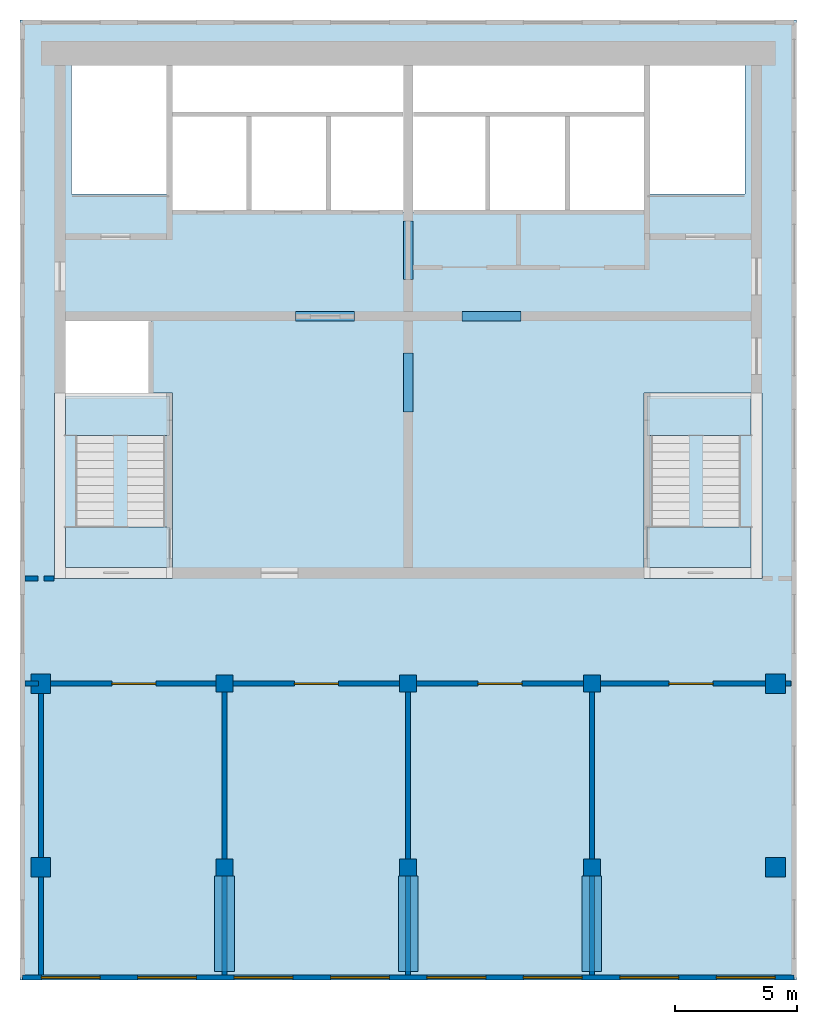
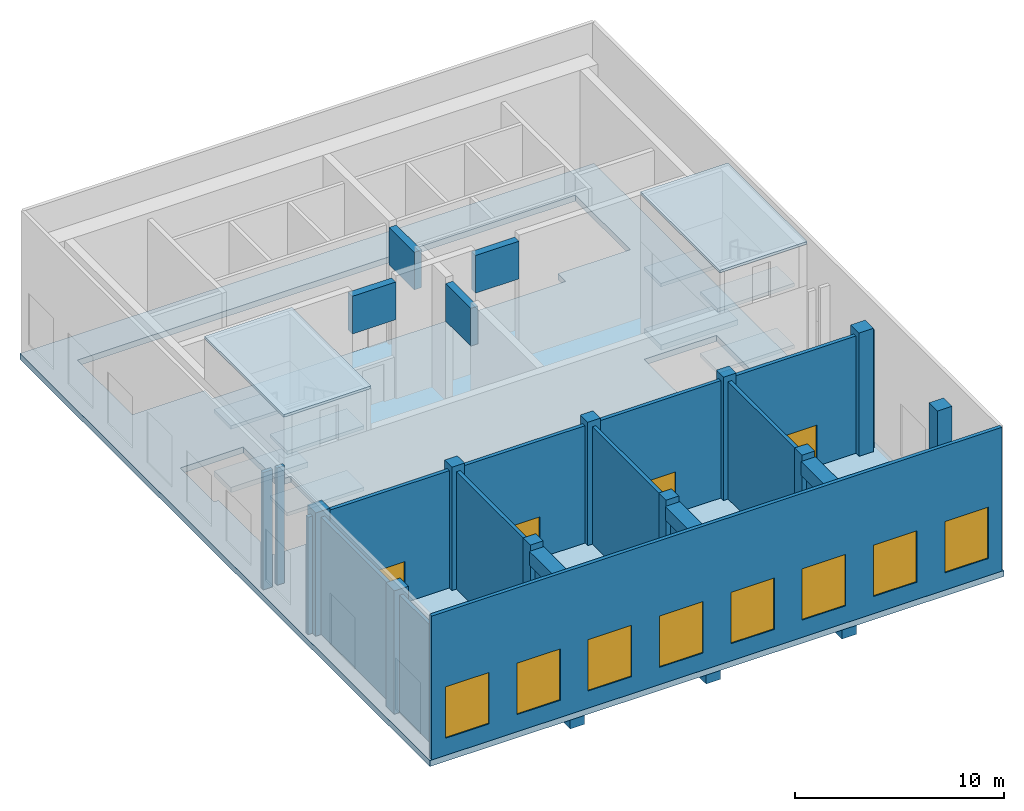
# One storey, part 1 of 5: 12 walls, 10 beams, 10 columns, 9 slabs, 8 windows, 4 doors, 2 plates, 12 openings, 2 elements without a shape of their own.
"""IFC4 building model written with IfcOpenShell, lengths in metres."""

from ifc_helpers import new_model, si_unit, direction, frame, frame_2d, origin, origin_2d, place, context, subcontext, project, spatial, polyline, rectangle, outline, extrude, material, layer, layer_set, material_profile, profile_set, type_object, element, fill, aggregate, save


model = new_model("IFC4")

# Units and contexts
model_context = context("Model", 3, precision=1e-05, world=origin(), true_north=direction((0.0, 1.0)))
body_context = subcontext(model_context, "Body", "Model", "MODEL_VIEW")
ifc_project = project(units=[si_unit("LENGTHUNIT", "METRE"), si_unit("AREAUNIT", "SQUARE_METRE"), si_unit("VOLUMEUNIT", "CUBIC_METRE"), si_unit("PLANEANGLEUNIT", "RADIAN"), si_unit("MASSUNIT", "GRAM", prefix="KILO")], contexts=[model_context])

# Site, building, storey
site_placement = place(None, origin())
site = spatial("IfcSite", under=ifc_project, at=site_placement, CompositionType="ELEMENT")
building_placement = place(site_placement, origin())
building = spatial("IfcBuilding", under=site, at=building_placement, Name="Pilkhan Gate Tower", CompositionType="ELEMENT")
storey_placement = place(building_placement, frame((0.0, 0.0, 292.699951171875)))
storey = spatial("IfcBuildingStorey", under=building, at=storey_placement, Name="RF", CompositionType="ELEMENT", Elevation=292.699951171875)

# Columns
ifc_material_1 = material(Name="Concrete C40/50", Category="concrete")
ifc_material_profile_1 = material_profile(ifc_material_1, rectangle(XDim=0.699951171875, YDim=0.699951171875, at=origin_2d()), Name="RC 700x700")
ifc_profile_set_1 = profile_set([ifc_material_profile_1], Name="Concrete C40/50")
column_type_1 = type_object("IfcColumnType", Name="Column C70 RC 700x700 C40/50", PredefinedType="COLUMN", material=ifc_profile_set_1)
for number, where, z_axis, x_axis, name in (
    (1, (67.5, 60.0, 0.0), (0.0, 0.0, 1.0), (1.0, 0.0, 0.0), "Column 9/F RF"),
    (2, (67.5, 67.5, 0.0), (0.0, 0.0, 1.0), (1.0, 0.0, 0.0), "Column 9/H RF"),
    (3, (75.0, 60.0, 0.0), (0.0, 0.0, 1.0), (1.0, 0.0, 0.0), "Column 11/F RF"),
    (4, (75.0, 67.5, 0.0), (0.0, 0.0, 1.0), (1.0, 0.0, 0.0), "Column 11/H RF"),
    (5, (82.5, 60.0, 0.0), (0.0, 0.0, 1.0), (1.0, 0.0, 0.0), "Column 13/F RF"),
    (6, (82.5, 67.5, 0.0), (0.0, 0.0, 1.0), (1.0, 0.0, 0.0), "Column 13/H RF"),
):
    element("IfcColumn", number, at=place(storey_placement, frame(where, z_axis=z_axis, x_axis=x_axis)), inside=storey, type_object=column_type_1, Name=name, PredefinedType="COLUMN", context=body_context, shape_type="SweptSolid", body=[
        extrude(rectangle(XDim=0.699951171875, YDim=0.699951171875, at=origin_2d()), origin(), (0.0, 0.0, 1.0), 7.199951171875),
    ])
ifc_material_profile_2 = material_profile(ifc_material_1, rectangle(XDim=0.800048828125, YDim=0.800048828125, at=origin_2d()), Name="RC 800x800")
ifc_profile_set_2 = profile_set([ifc_material_profile_2], Name="Concrete C40/50")
column_type_2 = type_object("IfcColumnType", Name="Column C80 RC 800x800 C40/50", PredefinedType="COLUMN", material=ifc_profile_set_2)
for number, where, z_axis, x_axis, name in (
    (7, (60.0, 60.0, 0.0), (0.0, 0.0, 1.0), (1.0, 0.0, 0.0), "Column 7/F RF"),
    (8, (60.0, 67.5, 0.0), (0.0, 0.0, 1.0), (1.0, 0.0, 0.0), "Column 7/H RF"),
    (9, (90.0, 60.0, 0.0), (0.0, 0.0, 1.0), (1.0, 0.0, 0.0), "Column 15/F RF"),
    (10, (90.0, 67.5, 0.0), (0.0, 0.0, 1.0), (1.0, 0.0, 0.0), "Column 15/H RF"),
):
    element("IfcColumn", number, at=place(storey_placement, frame(where, z_axis=z_axis, x_axis=x_axis)), inside=storey, type_object=column_type_2, Name=name, PredefinedType="COLUMN", context=body_context, shape_type="SweptSolid", body=[
        extrude(rectangle(XDim=0.800048828125, YDim=0.800048828125, at=origin_2d()), origin(), (0.0, 0.0, 1.0), 7.199951171875),
    ])

# Beams
ifc_material_2 = material(Name="Concrete C50/60", Category="concrete")
ifc_material_profile_3 = material_profile(ifc_material_2, rectangle(XDim=0.800048828125, YDim=0.800048828125, at=origin_2d()), Name="RC 800x800")
ifc_profile_set_3 = profile_set([ifc_material_profile_3], Name="Concrete C50/60")
beam_type_1 = type_object("IfcBeamType", Name="Cantilever beam CB2 RC 800x800 C50/60", PredefinedType="BEAM", material=ifc_profile_set_3)
for number, where, z_axis, x_axis, name in (
    (11, (67.5, 59.64990234375, -0.75), (0.0, -1.0, 0.0), (1.0, 0.0, 0.0), "Crown cantilever beam S1 RF"),
    (12, (75.0, 59.64990234375, -0.75), (0.0, -1.0, 0.0), (1.0, 0.0, 0.0), "Crown cantilever beam S2 RF"),
    (13, (82.5, 59.64990234375, -0.75), (0.0, -1.0, 0.0), (1.0, 0.0, 0.0), "Crown cantilever beam S3 RF"),
    (14, (67.5, 59.64990234375, 6.449951171875), (0.0, -1.0, 0.0), (1.0, 0.0, 0.0), "Crown cantilever beam S1 RFR"),
    (15, (75.0, 59.64990234375, 6.449951171875), (0.0, -1.0, 0.0), (1.0, 0.0, 0.0), "Crown cantilever beam S2 RFR"),
    (16, (82.5, 59.64990234375, 6.449951171875), (0.0, -1.0, 0.0), (1.0, 0.0, 0.0), "Crown cantilever beam S3 RFR"),
):
    element("IfcBeam", number, at=place(storey_placement, frame(where, z_axis=z_axis, x_axis=x_axis)), inside=storey, type_object=beam_type_1, Name=name, PredefinedType="BEAM", context=body_context, shape_type="SweptSolid", body=[
        extrude(rectangle(XDim=0.800048828125, YDim=0.800048828125, at=origin_2d()), origin(), (0.0, 0.0, 1.0), 3.89990234375),
    ])
ifc_material_profile_4 = material_profile(ifc_material_2, rectangle(XDim=0.39990234375, YDim=2.199951171875, at=origin_2d()), Name="RC 400x2200")
ifc_profile_set_4 = profile_set([ifc_material_profile_4], Name="Concrete C50/60")
beam_type_2 = type_object("IfcBeamType", Name="Coupling beam CB220-4 RC 400x2200 C50/60", PredefinedType="LINTEL", material=ifc_profile_set_4)
for number, where, z_axis, x_axis, name in (
    (17, (70.39990234375, 82.5, 5.75), (1.0, 0.0, 0.0), (0.0, 1.0, 0.0), "Coupling beam 1 RF"),
    (18, (77.199951171875, 82.5, 5.75), (1.0, 0.0, 0.0), (0.0, 1.0, 0.0), "Coupling beam 2 RF"),
):
    element("IfcBeam", number, at=place(storey_placement, frame(where, z_axis=z_axis, x_axis=x_axis)), inside=storey, type_object=beam_type_2, Name=name, PredefinedType="LINTEL", context=body_context, shape_type="SweptSolid", body=[
        extrude(rectangle(XDim=0.39990234375, YDim=2.199951171875, at=origin_2d()), origin(), (0.0, 0.0, 1.0), 2.400146484375),
    ])
for number, where, z_axis, x_axis, name in (
    (19, (75.0, 78.60009765625, 5.75), (0.0, 1.0, 0.0), (-1.0, 0.0, 0.0), "Coupling beam 3 RF"),
    (20, (75.0, 84.0, 5.75), (0.0, 1.0, 0.0), (-1.0, 0.0, 0.0), "Coupling beam 4 RF"),
):
    element("IfcBeam", number, at=place(storey_placement, frame(where, z_axis=z_axis, x_axis=x_axis)), inside=storey, type_object=beam_type_2, Name=name, PredefinedType="LINTEL", context=body_context, shape_type="SweptSolid", body=[
        extrude(rectangle(XDim=0.39990234375, YDim=2.199951171875, at=origin_2d()), origin(), (0.0, 0.0, 1.0), 2.39990234375),
    ])

# Slab
ifc_layer_1 = layer(ifc_material_1, 0.35009765625)
ifc_layer_set_1 = layer_set([ifc_layer_1], Name="Flat plate slab FP350")
slab_type_1 = type_object("IfcSlabType", Name="Flat plate slab FP350", PredefinedType="FLOOR", material=ifc_layer_set_1)
slab_1_placement = place(storey_placement, frame((0.0, 0.0, -0.349853515625)))
element("IfcSlab", 21, at=slab_1_placement, inside=storey, type_object=slab_type_1, Name="Floor slab RF", PredefinedType="FLOOR", context=body_context, shape_type="SweptSolid", body=[
    extrude(outline(polyline([(59.14990234375, 94.60009765625), (90.85009765625, 94.60009765625), (90.85009765625, 55.39990234375), (59.14990234375, 55.39990234375), (59.14990234375, 94.60009765625)]), holes=[polyline([(78.25, 86.75), (81.5, 86.75), (84.75, 86.75), (84.75, 87.5), (88.75, 87.5), (88.75, 92.75), (84.75, 92.75), (75.0, 92.75), (65.25, 92.75), (61.25, 92.75), (61.25, 87.5), (65.25, 87.5), (65.25, 86.75), (68.5, 86.75), (71.75, 86.75), (75.0, 86.75), (78.25, 86.75)]), polyline([(84.75, 79.25), (84.75, 74.0), (88.75, 74.0), (88.75, 79.25), (84.75, 79.25)]), polyline([(65.25, 79.25), (64.5, 79.25), (64.5, 82.5), (61.25, 82.5), (61.0, 82.5), (61.0, 79.25), (61.25, 79.25), (61.25, 74.0), (65.25, 74.0), (65.25, 79.25)])]), origin(), (0.0, 0.0, 1.0), 0.349853515625),
])

# Plates
ifc_material_3 = material(Name="Insulated metal roof panel")
ifc_layer_2 = layer(ifc_material_3, 0.14990234375)
ifc_layer_set_2 = layer_set([ifc_layer_2], Name="Stair head house roof panel RP150")
plate_type = type_object("IfcPlateType", Name="Stair head house roof panel RP150", PredefinedType="SHEET", material=ifc_layer_set_2)
plate_1_placement = place(storey_placement, frame((0.0, 0.0, 9.60009765625)))
element("IfcPlate", 22, at=plate_1_placement, inside=storey, type_object=plate_type, Name="Stair head house roof panel", PredefinedType="SHEET", context=body_context, shape_type="SweptSolid", body=[
    extrude(outline(polyline([(84.625, 71.800048828125), (89.449951171875, 71.800048828125), (89.449951171875, 79.375), (84.625, 79.375), (84.625, 71.800048828125)])), origin(), (0.0, 0.0, 1.0), 0.14990234375),
])
plate_2_placement = place(storey_placement, frame((0.0, 0.0, 9.60009765625)))
element("IfcPlate", 23, at=plate_2_placement, inside=storey, type_object=plate_type, Name="Stair head house roof panel", PredefinedType="SHEET", context=body_context, shape_type="SweptSolid", body=[
    extrude(outline(polyline([(60.550048828125, 71.800048828125), (65.375, 71.800048828125), (65.375, 79.375), (60.550048828125, 79.375), (60.550048828125, 71.800048828125)])), origin(), (0.0, 0.0, 1.0), 0.14990234375),
])

# Stair, slabs
ifc_material_4 = material(Name="Concrete C40/50 precast", Category="concrete")
stair_type_1 = type_object("IfcStairType", Name="Stair ST1 150x340", PredefinedType="HALF_TURN_STAIR", material=ifc_material_4)
stair_1_placement = place(storey_placement, origin())
stair_1 = element("IfcStair", 24, at=stair_1_placement, inside=storey, type_object=stair_type_1, Name="Stair ST1 RF", PredefinedType="HALF_TURN_STAIR")
ifc_layer_3 = layer(ifc_material_1, 0.199951171875)
ifc_layer_set_3 = layer_set([ifc_layer_3], Name="Stair landing SL200")
slab_type_2 = type_object("IfcSlabType", Name="Stair landing SL200", PredefinedType="LANDING", material=ifc_layer_set_3)
slab_2_placement = place(storey_placement, frame((0.0, 0.0, 1.5)))
slab_2 = element("IfcSlab", 25, at=slab_2_placement, type_object=slab_type_2, Name="ST1 landing 1", PredefinedType="LANDING", context=body_context, shape_type="SweptSolid", body=[
    extrude(outline(polyline([(89.0, 77.639892578125), (89.0, 79.25), (84.75, 79.25), (84.75, 77.639892578125), (89.0, 77.639892578125)])), origin(), (0.0, 0.0, 1.0), 0.300048828125),
])
slab_3_placement = place(storey_placement, frame((0.0, 0.0, 3.400146484375)))
slab_3 = element("IfcSlab", 26, at=slab_3_placement, type_object=slab_type_2, Name="ST1 landing 2", PredefinedType="LANDING", context=body_context, shape_type="SweptSolid", body=[
    extrude(outline(polyline([(89.0, 72.25), (89.0, 73.89990234375), (84.75, 73.89990234375), (84.75, 72.25), (89.0, 72.25)])), origin(), (0.0, 0.0, 1.0), 0.199951171875),
])
slab_4_placement = place(storey_placement, frame((0.0, 0.0, 5.199951171875)))
slab_4 = element("IfcSlab", 27, at=slab_4_placement, type_object=slab_type_2, Name="ST1 landing 3", PredefinedType="LANDING", context=body_context, shape_type="SweptSolid", body=[
    extrude(outline(polyline([(89.0, 77.639892578125), (89.0, 79.25), (84.75, 79.25), (84.75, 77.639892578125), (89.0, 77.639892578125)])), origin(), (0.0, 0.0, 1.0), 0.2001953125),
])
slab_5_placement = place(storey_placement, frame((0.0, 0.0, 7.0)))
slab_5 = element("IfcSlab", 28, at=slab_5_placement, type_object=slab_type_2, Name="ST1 landing 4", PredefinedType="LANDING", context=body_context, shape_type="SweptSolid", body=[
    extrude(outline(polyline([(89.0, 72.25), (89.0, 73.89990234375), (84.75, 73.89990234375), (84.75, 72.25), (89.0, 72.25)])), origin(), (0.0, 0.0, 1.0), 0.199951171875),
])
aggregate(stair_1, [slab_2, slab_3, slab_4, slab_5])

stair_type_2 = type_object("IfcStairType", Name="Stair ST2 150x340", PredefinedType="HALF_TURN_STAIR", material=ifc_material_4)
stair_2_placement = place(storey_placement, origin())
stair_2 = element("IfcStair", 29, at=stair_2_placement, inside=storey, type_object=stair_type_2, Name="Stair ST2 RF", PredefinedType="HALF_TURN_STAIR")
slab_6_placement = place(storey_placement, frame((0.0, 0.0, 1.5)))
slab_6 = element("IfcSlab", 30, at=slab_6_placement, type_object=slab_type_2, Name="ST2 landing 1", PredefinedType="LANDING", context=body_context, shape_type="SweptSolid", body=[
    extrude(outline(polyline([(65.25, 77.639892578125), (65.25, 79.25), (61.0, 79.25), (61.0, 77.639892578125), (65.25, 77.639892578125)])), origin(), (0.0, 0.0, 1.0), 0.300048828125),
])
slab_7_placement = place(storey_placement, frame((0.0, 0.0, 3.400146484375)))
slab_7 = element("IfcSlab", 31, at=slab_7_placement, type_object=slab_type_2, Name="ST2 landing 2", PredefinedType="LANDING", context=body_context, shape_type="SweptSolid", body=[
    extrude(outline(polyline([(65.25, 72.25), (65.25, 73.89990234375), (61.0, 73.89990234375), (61.0, 72.25), (65.25, 72.25)])), origin(), (0.0, 0.0, 1.0), 0.199951171875),
])
slab_8_placement = place(storey_placement, frame((0.0, 0.0, 5.199951171875)))
slab_8 = element("IfcSlab", 32, at=slab_8_placement, type_object=slab_type_2, Name="ST2 landing 3", PredefinedType="LANDING", context=body_context, shape_type="SweptSolid", body=[
    extrude(outline(polyline([(65.25, 77.639892578125), (65.25, 79.25), (61.0, 79.25), (61.0, 77.639892578125), (65.25, 77.639892578125)])), origin(), (0.0, 0.0, 1.0), 0.2001953125),
])
slab_9_placement = place(storey_placement, frame((0.0, 0.0, 7.0)))
slab_9 = element("IfcSlab", 33, at=slab_9_placement, type_object=slab_type_2, Name="ST2 landing 4", PredefinedType="LANDING", context=body_context, shape_type="SweptSolid", body=[
    extrude(outline(polyline([(65.25, 72.25), (65.25, 73.89990234375), (61.0, 73.89990234375), (61.0, 72.25), (65.25, 72.25)])), origin(), (0.0, 0.0, 1.0), 0.199951171875),
])
aggregate(stair_2, [slab_6, slab_7, slab_8, slab_9])

# Walls
ifc_material_5 = material(Name="Dense blockwork", Category="masonry")
ifc_layer_4 = layer(ifc_material_5, 0.199951171875)
ifc_layer_set_4 = layer_set([ifc_layer_4], Name="Corridor wall FW200")
wall_type_1 = type_object("IfcWallType", Name="Corridor wall FW200", PredefinedType="PARTITIONING", material=ifc_layer_set_4)
wall_1_placement = place(storey_placement, frame((59.35498046875, 67.5, 0.0), z_axis=(0.0, 0.0, 1.0), x_axis=(1.0, 0.0, 0.0)))
element("IfcWall", 34, at=wall_1_placement, inside=storey, type_object=wall_type_1, Name="Partition RF", PredefinedType="PARTITIONING", context=body_context, shape_type="SweptSolid", body=[
    extrude(rectangle(XDim=0.544921875, YDim=0.199951171875, at=frame_2d((0.2724609375, 0.0))), origin(), (0.0, 0.0, 1.0), 6.85009765625),
])
wall_2_placement = place(storey_placement, frame((59.35498046875, 71.800048828125, 0.0), z_axis=(0.0, 0.0, 1.0), x_axis=(1.0, 0.0, 0.0)))
element("IfcWall", 35, at=wall_2_placement, inside=storey, type_object=wall_type_1, Name="Partition RF", PredefinedType="PARTITIONING", context=body_context, shape_type="SweptSolid", body=[
    extrude(rectangle(XDim=0.52490234375, YDim=0.199951171875, at=frame_2d((0.262451171875, 0.0))), origin(), (0.0, 0.0, 1.0), 6.85009765625),
])
wall_3_placement = place(storey_placement, frame((60.1201171875, 71.800048828125, 0.0), z_axis=(0.0, 0.0, 1.0), x_axis=(1.0, 0.0, 0.0)))
element("IfcWall", 36, at=wall_3_placement, inside=storey, type_object=wall_type_1, Name="Partition RF", PredefinedType="PARTITIONING", context=body_context, shape_type="SweptSolid", body=[
    extrude(rectangle(XDim=0.419921875, YDim=0.199951171875, at=frame_2d((0.2099609375, 0.0))), origin(), (0.0, 0.0, 1.0), 6.85009765625),
])

# Wall, openings, doors
ifc_layer_5 = layer(ifc_material_5, 0.199951171875)
ifc_layer_set_5 = layer_set([ifc_layer_5], Name="Lobby wall LW200")
wall_type_2 = type_object("IfcWallType", Name="Lobby wall LW200", PredefinedType="PARTITIONING", material=ifc_layer_set_5)
wall_4_placement = place(storey_placement, frame((60.10009765625, 67.5, 0.0), z_axis=(0.0, 0.0, 1.0), x_axis=(1.0, 0.0, 0.0)))
wall_4 = element("IfcWall", 37, at=wall_4_placement, inside=storey, type_object=wall_type_2, Name="Partition RF", PredefinedType="PARTITIONING", context=body_context, shape_type="SweptSolid", body=[
    extrude(rectangle(XDim=30.539794921875, YDim=0.199951171875, at=frame_2d((15.27001953125, 0.0))), origin(), (0.0, 0.0, 1.0), 6.85009765625),
])
opening_1_placement = place(wall_4_placement, frame((2.800048828125, 0.0, 0.0)))
opening_1 = element("IfcOpeningElement", 38, at=opening_1_placement, cuts=wall_4, Name="Opening RF-12", PredefinedType="OPENING", context=body_context, shape_type="SweptSolid", body=[
    extrude(rectangle(XDim=1.800048828125, YDim=2.39990234375, at=frame_2d((0.89990234375, 1.199951171875))), frame((0.0, 0.10986328125, 0.0), z_axis=(0.0, -1.0, 0.0), x_axis=(1.0, 0.0, 0.0)), (0.0, 0.0, 1.0), 0.219970703125),
])
opening_2_placement = place(wall_4_placement, frame((10.25, 0.0, 0.0)))
opening_2 = element("IfcOpeningElement", 39, at=opening_2_placement, cuts=wall_4, Name="Opening RF-13", PredefinedType="OPENING", context=body_context, shape_type="SweptSolid", body=[
    extrude(rectangle(XDim=1.800048828125, YDim=2.39990234375, at=frame_2d((0.89990234375, 1.199951171875))), frame((0.0, 0.10986328125, 0.0), z_axis=(0.0, -1.0, 0.0), x_axis=(1.0, 0.0, 0.0)), (0.0, 0.0, 1.0), 0.219970703125),
])
opening_3_placement = place(wall_4_placement, frame((17.75, 0.0, 0.0)))
opening_3 = element("IfcOpeningElement", 40, at=opening_3_placement, cuts=wall_4, Name="Opening RF-14", PredefinedType="OPENING", context=body_context, shape_type="SweptSolid", body=[
    extrude(rectangle(XDim=1.800048828125, YDim=2.39990234375, at=frame_2d((0.89990234375, 1.199951171875))), frame((0.0, 0.10986328125, 0.0), z_axis=(0.0, -1.0, 0.0), x_axis=(1.0, 0.0, 0.0)), (0.0, 0.0, 1.0), 0.219970703125),
])
opening_4_placement = place(wall_4_placement, frame((25.550048828125, 0.0, 0.0)))
opening_4 = element("IfcOpeningElement", 41, at=opening_4_placement, cuts=wall_4, Name="Opening RF-15", PredefinedType="OPENING", context=body_context, shape_type="SweptSolid", body=[
    extrude(rectangle(XDim=1.800048828125, YDim=2.39990234375, at=frame_2d((0.89990234375, 1.199951171875))), frame((0.0, 0.10986328125, 0.0), z_axis=(0.0, -1.0, 0.0), x_axis=(1.0, 0.0, 0.0)), (0.0, 0.0, 1.0), 0.219970703125),
])
ifc_material_6 = material(Name="Steel door, 120 minute fire resisting", Category="steel")
door_type = type_object("IfcDoorType", Name="Plant room door D08 1800x2400", OperationType="DOUBLE_DOOR_SINGLE_SWING", PredefinedType="DOOR", material=ifc_material_6)
door_1_placement = place(opening_1_placement, origin())
door_1 = element("IfcDoor", 42, at=door_1_placement, inside=storey, type_object=door_type, Name="Plant room door", OperationType="DOUBLE_DOOR_SINGLE_SWING", OverallHeight=2.39990234375, OverallWidth=1.800048828125, PredefinedType="DOOR", context=body_context, shape_type="SweptSolid", body=[
    extrude(rectangle(XDim=1.800048828125, YDim=2.39990234375, at=frame_2d((0.89990234375, 1.199951171875))), frame((0.0, 0.02490234375, 0.0), z_axis=(0.0, -1.0, 0.0), x_axis=(1.0, 0.0, 0.0)), (0.0, 0.0, 1.0), 0.050048828125),
])
fill(opening_1, door_1)
door_2_placement = place(opening_2_placement, origin())
door_2 = element("IfcDoor", 43, at=door_2_placement, inside=storey, type_object=door_type, Name="Plant room door", OperationType="DOUBLE_DOOR_SINGLE_SWING", OverallHeight=2.39990234375, OverallWidth=1.800048828125, PredefinedType="DOOR", context=body_context, shape_type="SweptSolid", body=[
    extrude(rectangle(XDim=1.800048828125, YDim=2.39990234375, at=frame_2d((0.89990234375, 1.199951171875))), frame((0.0, 0.02490234375, 0.0), z_axis=(0.0, -1.0, 0.0), x_axis=(1.0, 0.0, 0.0)), (0.0, 0.0, 1.0), 0.050048828125),
])
fill(opening_2, door_2)
door_3_placement = place(opening_3_placement, origin())
door_3 = element("IfcDoor", 44, at=door_3_placement, inside=storey, type_object=door_type, Name="Plant room door", OperationType="DOUBLE_DOOR_SINGLE_SWING", OverallHeight=2.39990234375, OverallWidth=1.800048828125, PredefinedType="DOOR", context=body_context, shape_type="SweptSolid", body=[
    extrude(rectangle(XDim=1.800048828125, YDim=2.39990234375, at=frame_2d((0.89990234375, 1.199951171875))), frame((0.0, 0.02490234375, 0.0), z_axis=(0.0, -1.0, 0.0), x_axis=(1.0, 0.0, 0.0)), (0.0, 0.0, 1.0), 0.050048828125),
])
fill(opening_3, door_3)
door_4_placement = place(opening_4_placement, origin())
door_4 = element("IfcDoor", 45, at=door_4_placement, inside=storey, type_object=door_type, Name="Plant room door", OperationType="DOUBLE_DOOR_SINGLE_SWING", OverallHeight=2.39990234375, OverallWidth=1.800048828125, PredefinedType="DOOR", context=body_context, shape_type="SweptSolid", body=[
    extrude(rectangle(XDim=1.800048828125, YDim=2.39990234375, at=frame_2d((0.89990234375, 1.199951171875))), frame((0.0, 0.02490234375, 0.0), z_axis=(0.0, -1.0, 0.0), x_axis=(1.0, 0.0, 0.0)), (0.0, 0.0, 1.0), 0.050048828125),
])
fill(opening_4, door_4)

# Walls
wall_5_placement = place(storey_placement, frame((60.0, 55.60498046875, 0.0), z_axis=(0.0, 0.0, 1.0), x_axis=(0.0, 1.0, 0.0)))
element("IfcWall", 46, at=wall_5_placement, inside=storey, type_object=wall_type_2, Name="Partition RF", PredefinedType="PARTITIONING", context=body_context, shape_type="SweptSolid", body=[
    extrude(rectangle(XDim=11.9951171875, YDim=0.199951171875, at=frame_2d((5.99755859375, 0.0))), origin(), (0.0, 0.0, 1.0), 6.85009765625),
])
wall_6_placement = place(storey_placement, frame((67.5, 55.610107421875, 0.0), z_axis=(0.0, 0.0, 1.0), x_axis=(0.0, 1.0, 0.0)))
element("IfcWall", 47, at=wall_6_placement, inside=storey, type_object=wall_type_2, Name="Partition RF", PredefinedType="PARTITIONING", context=body_context, shape_type="SweptSolid", body=[
    extrude(rectangle(XDim=4.039794921875, YDim=0.199951171875, at=frame_2d((2.02001953125, 0.0))), origin(), (0.0, 0.0, 1.0), 6.050048828125),
])
wall_7_placement = place(storey_placement, frame((67.5, 59.64990234375, 0.0), z_axis=(0.0, 0.0, 1.0), x_axis=(0.0, 1.0, 0.0)))
element("IfcWall", 48, at=wall_7_placement, inside=storey, type_object=wall_type_2, Name="Partition RF", PredefinedType="PARTITIONING", context=body_context, shape_type="SweptSolid", body=[
    extrude(rectangle(XDim=7.75, YDim=0.199951171875, at=frame_2d((3.875, 0.0))), origin(), (0.0, 0.0, 1.0), 6.85009765625),
])
wall_8_placement = place(storey_placement, frame((75.0, 55.610107421875, 0.0), z_axis=(0.0, 0.0, 1.0), x_axis=(0.0, 1.0, 0.0)))
element("IfcWall", 49, at=wall_8_placement, inside=storey, type_object=wall_type_2, Name="Partition RF", PredefinedType="PARTITIONING", context=body_context, shape_type="SweptSolid", body=[
    extrude(rectangle(XDim=4.039794921875, YDim=0.199951171875, at=frame_2d((2.02001953125, 0.0))), origin(), (0.0, 0.0, 1.0), 6.050048828125),
])
wall_9_placement = place(storey_placement, frame((75.0, 59.64990234375, 0.0), z_axis=(0.0, 0.0, 1.0), x_axis=(0.0, 1.0, 0.0)))
element("IfcWall", 50, at=wall_9_placement, inside=storey, type_object=wall_type_2, Name="Partition RF", PredefinedType="PARTITIONING", context=body_context, shape_type="SweptSolid", body=[
    extrude(rectangle(XDim=7.75, YDim=0.199951171875, at=frame_2d((3.875, 0.0))), origin(), (0.0, 0.0, 1.0), 6.85009765625),
])
wall_10_placement = place(storey_placement, frame((82.5, 55.610107421875, 0.0), z_axis=(0.0, 0.0, 1.0), x_axis=(0.0, 1.0, 0.0)))
element("IfcWall", 51, at=wall_10_placement, inside=storey, type_object=wall_type_2, Name="Partition RF", PredefinedType="PARTITIONING", context=body_context, shape_type="SweptSolid", body=[
    extrude(rectangle(XDim=4.039794921875, YDim=0.199951171875, at=frame_2d((2.02001953125, 0.0))), origin(), (0.0, 0.0, 1.0), 6.050048828125),
])
wall_11_placement = place(storey_placement, frame((82.5, 59.64990234375, 0.0), z_axis=(0.0, 0.0, 1.0), x_axis=(0.0, 1.0, 0.0)))
element("IfcWall", 52, at=wall_11_placement, inside=storey, type_object=wall_type_2, Name="Partition RF", PredefinedType="PARTITIONING", context=body_context, shape_type="SweptSolid", body=[
    extrude(rectangle(XDim=7.75, YDim=0.199951171875, at=frame_2d((3.875, 0.0))), origin(), (0.0, 0.0, 1.0), 6.85009765625),
])

# Wall, openings, windows
ifc_material_7 = material(Name="Pale anodised aluminium cladding", Category="aluminium")
ifc_layer_6 = layer(ifc_material_7, 0.199951171875)
ifc_layer_set_6 = layer_set([ifc_layer_6], Name="Plant screen wall PS200")
wall_type_3 = type_object("IfcWallType", Name="Plant screen wall PS200", PredefinedType="SOLIDWALL", material=ifc_layer_set_6)
wall_12_placement = place(storey_placement, frame((59.25, 55.5, 0.0), z_axis=(0.0, 0.0, 1.0), x_axis=(1.0, 0.0, 0.0)))
wall_12 = element("IfcWall", 53, at=wall_12_placement, inside=storey, type_object=wall_type_3, Name="Plant screen wall RF S", PredefinedType="SOLIDWALL", context=body_context, shape_type="SweptSolid", body=[
    extrude(rectangle(XDim=31.5, YDim=0.199951171875, at=frame_2d((15.75, 0.0))), origin(), (0.0, 0.0, 1.0), 8.400146484375),
])
opening_5_placement = place(wall_12_placement, frame((0.768798828125, 0.0, 1.0)))
opening_5 = element("IfcOpeningElement", 54, at=opening_5_placement, cuts=wall_12, Name="Opening WL1", PredefinedType="OPENING", context=body_context, shape_type="SweptSolid", body=[
    extrude(rectangle(XDim=2.39990234375, YDim=3.0, at=frame_2d((1.199951171875, 1.5))), frame((0.0, 0.10986328125, 0.0), z_axis=(0.0, -1.0, 0.0), x_axis=(1.0, 0.0, 0.0)), (0.0, 0.0, 1.0), 0.219970703125),
])
opening_6_placement = place(wall_12_placement, frame((4.706298828125, 0.0, 1.0)))
opening_6 = element("IfcOpeningElement", 55, at=opening_6_placement, cuts=wall_12, Name="Opening WL1", PredefinedType="OPENING", context=body_context, shape_type="SweptSolid", body=[
    extrude(rectangle(XDim=2.39990234375, YDim=3.0, at=frame_2d((1.199951171875, 1.5))), frame((0.0, 0.10986328125, 0.0), z_axis=(0.0, -1.0, 0.0), x_axis=(1.0, 0.0, 0.0)), (0.0, 0.0, 1.0), 0.219970703125),
])
opening_7_placement = place(wall_12_placement, frame((8.643798828125, 0.0, 1.0)))
opening_7 = element("IfcOpeningElement", 56, at=opening_7_placement, cuts=wall_12, Name="Opening WL1", PredefinedType="OPENING", context=body_context, shape_type="SweptSolid", body=[
    extrude(rectangle(XDim=2.39990234375, YDim=3.0, at=frame_2d((1.199951171875, 1.5))), frame((0.0, 0.10986328125, 0.0), z_axis=(0.0, -1.0, 0.0), x_axis=(1.0, 0.0, 0.0)), (0.0, 0.0, 1.0), 0.219970703125),
])
opening_8_placement = place(wall_12_placement, frame((12.581298828125, 0.0, 1.0)))
opening_8 = element("IfcOpeningElement", 57, at=opening_8_placement, cuts=wall_12, Name="Opening WL1", PredefinedType="OPENING", context=body_context, shape_type="SweptSolid", body=[
    extrude(rectangle(XDim=2.39990234375, YDim=3.0, at=frame_2d((1.199951171875, 1.5))), frame((0.0, 0.10986328125, 0.0), z_axis=(0.0, -1.0, 0.0), x_axis=(1.0, 0.0, 0.0)), (0.0, 0.0, 1.0), 0.219970703125),
])
opening_9_placement = place(wall_12_placement, frame((16.518798828125, 0.0, 1.0)))
opening_9 = element("IfcOpeningElement", 58, at=opening_9_placement, cuts=wall_12, Name="Opening WL1", PredefinedType="OPENING", context=body_context, shape_type="SweptSolid", body=[
    extrude(rectangle(XDim=2.39990234375, YDim=3.0, at=frame_2d((1.199951171875, 1.5))), frame((0.0, 0.10986328125, 0.0), z_axis=(0.0, -1.0, 0.0), x_axis=(1.0, 0.0, 0.0)), (0.0, 0.0, 1.0), 0.219970703125),
])
opening_10_placement = place(wall_12_placement, frame((20.456298828125, 0.0, 1.0)))
opening_10 = element("IfcOpeningElement", 59, at=opening_10_placement, cuts=wall_12, Name="Opening WL1", PredefinedType="OPENING", context=body_context, shape_type="SweptSolid", body=[
    extrude(rectangle(XDim=2.39990234375, YDim=3.0, at=frame_2d((1.199951171875, 1.5))), frame((0.0, 0.10986328125, 0.0), z_axis=(0.0, -1.0, 0.0), x_axis=(1.0, 0.0, 0.0)), (0.0, 0.0, 1.0), 0.219970703125),
])
opening_11_placement = place(wall_12_placement, frame((24.393798828125, 0.0, 1.0)))
opening_11 = element("IfcOpeningElement", 60, at=opening_11_placement, cuts=wall_12, Name="Opening WL1", PredefinedType="OPENING", context=body_context, shape_type="SweptSolid", body=[
    extrude(rectangle(XDim=2.39990234375, YDim=3.0, at=frame_2d((1.199951171875, 1.5))), frame((0.0, 0.10986328125, 0.0), z_axis=(0.0, -1.0, 0.0), x_axis=(1.0, 0.0, 0.0)), (0.0, 0.0, 1.0), 0.219970703125),
])
opening_12_placement = place(wall_12_placement, frame((28.331298828125, 0.0, 1.0)))
opening_12 = element("IfcOpeningElement", 61, at=opening_12_placement, cuts=wall_12, Name="Opening WL1", PredefinedType="OPENING", context=body_context, shape_type="SweptSolid", body=[
    extrude(rectangle(XDim=2.39990234375, YDim=3.0, at=frame_2d((1.199951171875, 1.5))), frame((0.0, 0.10986328125, 0.0), z_axis=(0.0, -1.0, 0.0), x_axis=(1.0, 0.0, 0.0)), (0.0, 0.0, 1.0), 0.219970703125),
])
ifc_material_8 = material(Name="Pale anodised aluminium storm louvre, bird mesh", Category="aluminium")
window_type = type_object("IfcWindowType", Name="Plant louvre WL1 2400x3000", PartitioningType="SINGLE_PANEL", PredefinedType="USERDEFINED", material=ifc_material_8)
window_1_placement = place(opening_5_placement, origin())
window_1 = element("IfcWindow", 62, at=window_1_placement, inside=storey, type_object=window_type, Name="Louvre RF", ObjectType="LOUVRE", OverallHeight=3.0, OverallWidth=2.39990234375, PartitioningType="SINGLE_PANEL", PredefinedType="USERDEFINED", context=body_context, shape_type="SweptSolid", body=[
    extrude(rectangle(XDim=2.39990234375, YDim=3.0, at=frame_2d((1.199951171875, 1.5))), frame((0.0, 0.030029296875, 0.0), z_axis=(0.0, -1.0, 0.0), x_axis=(1.0, 0.0, 0.0)), (0.0, 0.0, 1.0), 0.06005859375),
])
fill(opening_5, window_1)
window_2_placement = place(opening_6_placement, origin())
window_2 = element("IfcWindow", 63, at=window_2_placement, inside=storey, type_object=window_type, Name="Louvre RF", ObjectType="LOUVRE", OverallHeight=3.0, OverallWidth=2.39990234375, PartitioningType="SINGLE_PANEL", PredefinedType="USERDEFINED", context=body_context, shape_type="SweptSolid", body=[
    extrude(rectangle(XDim=2.39990234375, YDim=3.0, at=frame_2d((1.199951171875, 1.5))), frame((0.0, 0.030029296875, 0.0), z_axis=(0.0, -1.0, 0.0), x_axis=(1.0, 0.0, 0.0)), (0.0, 0.0, 1.0), 0.06005859375),
])
fill(opening_6, window_2)
window_3_placement = place(opening_7_placement, origin())
window_3 = element("IfcWindow", 64, at=window_3_placement, inside=storey, type_object=window_type, Name="Louvre RF", ObjectType="LOUVRE", OverallHeight=3.0, OverallWidth=2.39990234375, PartitioningType="SINGLE_PANEL", PredefinedType="USERDEFINED", context=body_context, shape_type="SweptSolid", body=[
    extrude(rectangle(XDim=2.39990234375, YDim=3.0, at=frame_2d((1.199951171875, 1.5))), frame((0.0, 0.030029296875, 0.0), z_axis=(0.0, -1.0, 0.0), x_axis=(1.0, 0.0, 0.0)), (0.0, 0.0, 1.0), 0.06005859375),
])
fill(opening_7, window_3)
window_4_placement = place(opening_8_placement, origin())
window_4 = element("IfcWindow", 65, at=window_4_placement, inside=storey, type_object=window_type, Name="Louvre RF", ObjectType="LOUVRE", OverallHeight=3.0, OverallWidth=2.39990234375, PartitioningType="SINGLE_PANEL", PredefinedType="USERDEFINED", context=body_context, shape_type="SweptSolid", body=[
    extrude(rectangle(XDim=2.39990234375, YDim=3.0, at=frame_2d((1.199951171875, 1.5))), frame((0.0, 0.030029296875, 0.0), z_axis=(0.0, -1.0, 0.0), x_axis=(1.0, 0.0, 0.0)), (0.0, 0.0, 1.0), 0.06005859375),
])
fill(opening_8, window_4)
window_5_placement = place(opening_9_placement, origin())
window_5 = element("IfcWindow", 66, at=window_5_placement, inside=storey, type_object=window_type, Name="Louvre RF", ObjectType="LOUVRE", OverallHeight=3.0, OverallWidth=2.39990234375, PartitioningType="SINGLE_PANEL", PredefinedType="USERDEFINED", context=body_context, shape_type="SweptSolid", body=[
    extrude(rectangle(XDim=2.39990234375, YDim=3.0, at=frame_2d((1.199951171875, 1.5))), frame((0.0, 0.030029296875, 0.0), z_axis=(0.0, -1.0, 0.0), x_axis=(1.0, 0.0, 0.0)), (0.0, 0.0, 1.0), 0.06005859375),
])
fill(opening_9, window_5)
window_6_placement = place(opening_10_placement, origin())
window_6 = element("IfcWindow", 67, at=window_6_placement, inside=storey, type_object=window_type, Name="Louvre RF", ObjectType="LOUVRE", OverallHeight=3.0, OverallWidth=2.39990234375, PartitioningType="SINGLE_PANEL", PredefinedType="USERDEFINED", context=body_context, shape_type="SweptSolid", body=[
    extrude(rectangle(XDim=2.39990234375, YDim=3.0, at=frame_2d((1.199951171875, 1.5))), frame((0.0, 0.030029296875, 0.0), z_axis=(0.0, -1.0, 0.0), x_axis=(1.0, 0.0, 0.0)), (0.0, 0.0, 1.0), 0.06005859375),
])
fill(opening_10, window_6)
window_7_placement = place(opening_11_placement, origin())
window_7 = element("IfcWindow", 68, at=window_7_placement, inside=storey, type_object=window_type, Name="Louvre RF", ObjectType="LOUVRE", OverallHeight=3.0, OverallWidth=2.39990234375, PartitioningType="SINGLE_PANEL", PredefinedType="USERDEFINED", context=body_context, shape_type="SweptSolid", body=[
    extrude(rectangle(XDim=2.39990234375, YDim=3.0, at=frame_2d((1.199951171875, 1.5))), frame((0.0, 0.030029296875, 0.0), z_axis=(0.0, -1.0, 0.0), x_axis=(1.0, 0.0, 0.0)), (0.0, 0.0, 1.0), 0.06005859375),
])
fill(opening_11, window_7)
window_8_placement = place(opening_12_placement, origin())
window_8 = element("IfcWindow", 69, at=window_8_placement, inside=storey, type_object=window_type, Name="Louvre RF", ObjectType="LOUVRE", OverallHeight=3.0, OverallWidth=2.39990234375, PartitioningType="SINGLE_PANEL", PredefinedType="USERDEFINED", context=body_context, shape_type="SweptSolid", body=[
    extrude(rectangle(XDim=2.39990234375, YDim=3.0, at=frame_2d((1.199951171875, 1.5))), frame((0.0, 0.030029296875, 0.0), z_axis=(0.0, -1.0, 0.0), x_axis=(1.0, 0.0, 0.0)), (0.0, 0.0, 1.0), 0.06005859375),
])
fill(opening_12, window_8)

save(model, "model.ifc")
